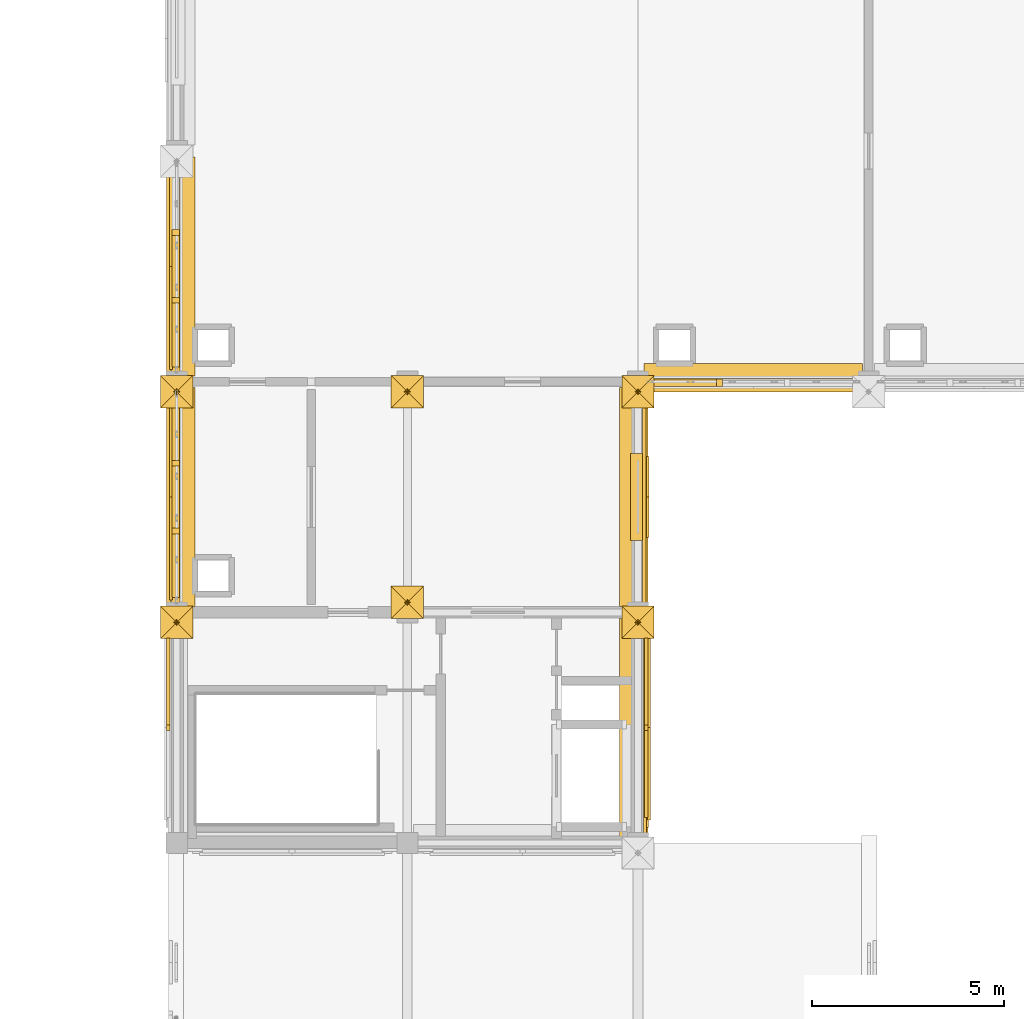
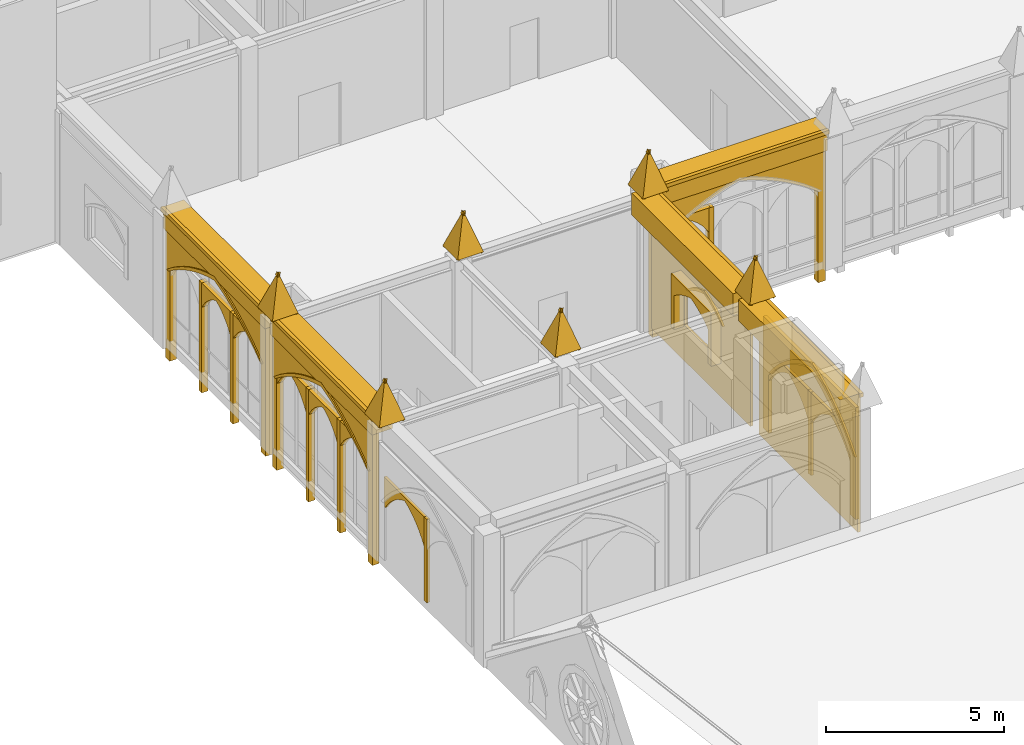
# One storey, part 98 of 108: 61 coverings.
"""IFC4 building model written with IfcOpenShell, lengths in metres."""

from ifc_helpers import new_model, si_unit, direction, frame, origin, origin_2d, place, context, subcontext, project, spatial, polyline, rectangle, outline, extrude, material, type_object, element, save


model = new_model("IFC4")

# Units and contexts
model_context = context("Model", 3, precision=1e-05, world=origin(), true_north=direction((0.0, 1.0)))
body_context = subcontext(model_context, "Body", "Model", "MODEL_VIEW")
ifc_project = project(units=[si_unit("LENGTHUNIT", "METRE"), si_unit("AREAUNIT", "SQUARE_METRE"), si_unit("VOLUMEUNIT", "CUBIC_METRE"), si_unit("PLANEANGLEUNIT", "RADIAN"), si_unit("MASSUNIT", "GRAM", prefix="KILO")], contexts=[model_context])

# Site, building, storey
site_placement = place(None, origin())
site = spatial("IfcSite", under=ifc_project, at=site_placement, CompositionType="ELEMENT")
building_placement = place(site_placement, origin())
building = spatial("IfcBuilding", under=site, at=building_placement, Name="Cumevento Cable Car Station", CompositionType="ELEMENT")
storey_placement = place(building_placement, frame((0.0, 0.0, 13.5)))
storey = spatial("IfcBuildingStorey", under=building, at=storey_placement, Name="L04", CompositionType="ELEMENT", Elevation=13.5)

# Coverings
ifc_material = material(Name="Gnaisse Facoidal Stone Ashlar 85 MPa", Category="masonry")
covering_type = type_object("IfcCoveringType", Name="Gnaisse Ashlar Cladding CV-CL01", PredefinedType="CLADDING", material=ifc_material)
for number, where, z_axis, x_axis, name in (
    (1, (117.580078125, 27.159912109375, 4.8701171875), (0.0, 0.951573760476, 0.30742052367), (1.0, 0.0, 0.0), "Gothic Buttress Pinnacle Spire Facet 1 bt:118.0:27.0"),
    (2, (118.419921875, 27.159912109375, 4.8701171875), (0.951573760476, 0.0, 0.30742052367), (0.0, -1.0, 0.0), "Gothic Buttress Pinnacle Spire Facet 2 bt:118.0:27.0"),
    (3, (118.419921875, 26.320068359375, 4.8701171875), (0.0, -0.951573760476, 0.30742052367), (-1.0, 0.0, 0.0), "Gothic Buttress Pinnacle Spire Facet 3 bt:118.0:27.0"),
    (4, (117.580078125, 26.320068359375, 4.8701171875), (-0.951573760476, 0.0, 0.30742052367), (0.0, 1.0, 0.0), "Gothic Buttress Pinnacle Spire Facet 4 bt:118.0:27.0"),
    (5, (117.580078125, 33.159912109375, 4.8701171875), (0.0, 0.951573760476, 0.30742052367), (1.0, 0.0, 0.0), "Gothic Buttress Pinnacle Spire Facet 1 bt:118.0:33.0"),
    (6, (118.419921875, 33.159912109375, 4.8701171875), (0.951573760476, 0.0, 0.30742052367), (0.0, -1.0, 0.0), "Gothic Buttress Pinnacle Spire Facet 2 bt:118.0:33.0"),
    (7, (118.419921875, 32.320068359375, 4.8701171875), (0.0, -0.951573760476, 0.30742052367), (-1.0, 0.0, 0.0), "Gothic Buttress Pinnacle Spire Facet 3 bt:118.0:33.0"),
    (8, (117.580078125, 32.320068359375, 4.8701171875), (-0.951573760476, 0.0, 0.30742052367), (0.0, 1.0, 0.0), "Gothic Buttress Pinnacle Spire Facet 4 bt:118.0:33.0"),
    (9, (124.419921875, 26.840087890625, 4.8701171875), (0.0, -0.951573760476, 0.30742052367), (-1.0, 0.0, 0.0), "Gothic Buttress Pinnacle Spire Facet 1 bt:124.0:27.0"),
    (10, (123.580078125, 26.840087890625, 4.8701171875), (-0.951573760476, 0.0, 0.30742052367), (0.0, 1.0, 0.0), "Gothic Buttress Pinnacle Spire Facet 2 bt:124.0:27.0"),
    (11, (123.580078125, 27.679931640625, 4.8701171875), (0.0, 0.951573760476, 0.30742052367), (1.0, 0.0, 0.0), "Gothic Buttress Pinnacle Spire Facet 3 bt:124.0:27.0"),
    (12, (124.419921875, 27.679931640625, 4.8701171875), (0.951573760476, 0.0, 0.30742052367), (0.0, -1.0, 0.0), "Gothic Buttress Pinnacle Spire Facet 4 bt:124.0:27.0"),
    (13, (123.580078125, 33.159912109375, 4.8701171875), (0.0, 0.951573760476, 0.30742052367), (1.0, 0.0, 0.0), "Gothic Buttress Pinnacle Spire Facet 1 bt:124.0:33.0"),
    (14, (124.419921875, 33.159912109375, 4.8701171875), (0.951573760476, 0.0, 0.30742052367), (0.0, -1.0, 0.0), "Gothic Buttress Pinnacle Spire Facet 2 bt:124.0:33.0"),
    (15, (124.419921875, 32.320068359375, 4.8701171875), (0.0, -0.951573760476, 0.30742052367), (-1.0, 0.0, 0.0), "Gothic Buttress Pinnacle Spire Facet 3 bt:124.0:33.0"),
    (16, (123.580078125, 32.320068359375, 4.8701171875), (-0.951573760476, 0.0, 0.30742052367), (0.0, 1.0, 0.0), "Gothic Buttress Pinnacle Spire Facet 4 bt:124.0:33.0"),
    (17, (129.580078125, 27.159912109375, 4.8701171875), (0.0, 0.951573760476, 0.30742052367), (1.0, 0.0, 0.0), "Gothic Buttress Pinnacle Spire Facet 1 bt:130.0:27.0"),
    (18, (130.419921875, 27.159912109375, 4.8701171875), (0.951573760476, 0.0, 0.30742052367), (0.0, -1.0, 0.0), "Gothic Buttress Pinnacle Spire Facet 2 bt:130.0:27.0"),
    (19, (130.419921875, 26.320068359375, 4.8701171875), (0.0, -0.951573760476, 0.30742052367), (-1.0, 0.0, 0.0), "Gothic Buttress Pinnacle Spire Facet 3 bt:130.0:27.0"),
    (20, (129.580078125, 26.320068359375, 4.8701171875), (-0.951573760476, 0.0, 0.30742052367), (0.0, 1.0, 0.0), "Gothic Buttress Pinnacle Spire Facet 4 bt:130.0:27.0"),
    (21, (129.580078125, 33.159912109375, 4.8701171875), (0.0, 0.951573760476, 0.30742052367), (1.0, 0.0, 0.0), "Gothic Buttress Pinnacle Spire Facet 1 bt:130.0:33.0"),
    (22, (130.419921875, 33.159912109375, 4.8701171875), (0.951573760476, 0.0, 0.30742052367), (0.0, -1.0, 0.0), "Gothic Buttress Pinnacle Spire Facet 2 bt:130.0:33.0"),
    (23, (130.419921875, 32.320068359375, 4.8701171875), (0.0, -0.951573760476, 0.30742052367), (-1.0, 0.0, 0.0), "Gothic Buttress Pinnacle Spire Facet 3 bt:130.0:33.0"),
    (24, (129.580078125, 32.320068359375, 4.8701171875), (-0.951573760476, 0.0, 0.30742052367), (0.0, 1.0, 0.0), "Gothic Buttress Pinnacle Spire Facet 4 bt:130.0:33.0"),
):
    element("IfcCovering", number, at=place(storey_placement, frame(where, z_axis=z_axis, x_axis=x_axis)), inside=storey, type_object=covering_type, Name=name, PredefinedType="CLADDING", context=body_context, shape_type="SweptSolid", body=[
        extrude(outline(polyline([(0.0, 0.0), (0.83984375, 0.0), (0.419921875, -1.3659526370817139), (0.0, 0.0)])), origin(), (0.0, 0.0, -1.0), 0.0849609375),
    ])
covering_1_placement = place(storey_placement, frame((129.85009765625, 24.0, 4.032958984375), z_axis=(0.0, 0.0, 1.0), x_axis=(0.0, -1.0, 0.0)))
element("IfcCovering", 25, at=covering_1_placement, inside=storey, type_object=covering_type, Name="Gothic Stone Spandrel Stringcourse sc:0754", PredefinedType="CLADDING", context=body_context, shape_type="SweptSolid", body=[
    extrude(rectangle(XDim=5.68994140625, YDim=0.659912109375, at=origin_2d()), origin(), (0.0, 0.0, 1.0), 0.7470703125),
])
covering_2_placement = place(storey_placement, frame((130.20751953125, 24.0, 4.650146484375), z_axis=(0.0, 0.0, 1.0), x_axis=(0.0, -1.0, 0.0)))
element("IfcCovering", 26, at=covering_2_placement, inside=storey, type_object=covering_type, Name="Gothic Cornice Dripstone Lip sc:0754", PredefinedType="CLADDING", context=body_context, shape_type="SweptSolid", body=[
    extrude(rectangle(XDim=5.72998046875, YDim=0.114990234375, at=origin_2d()), origin(), (0.0, 0.0, 1.0), 0.1298828125),
])
covering_3_placement = place(storey_placement, frame((118.14990234375, 30.0, 4.032958984375), z_axis=(0.0, 0.0, 1.0), x_axis=(0.0, 1.0, 0.0)))
element("IfcCovering", 27, at=covering_3_placement, inside=storey, type_object=covering_type, Name="Gothic Stone Spandrel Stringcourse sc:0755", PredefinedType="CLADDING", context=body_context, shape_type="SweptSolid", body=[
    extrude(rectangle(XDim=5.68994140625, YDim=0.659912109375, at=origin_2d()), origin(), (0.0, 0.0, 1.0), 0.7470703125),
])
covering_4_placement = place(storey_placement, frame((117.79248046875, 30.0, 4.650146484375), z_axis=(0.0, 0.0, 1.0), x_axis=(0.0, 1.0, 0.0)))
element("IfcCovering", 28, at=covering_4_placement, inside=storey, type_object=covering_type, Name="Gothic Cornice Dripstone Lip sc:0755", PredefinedType="CLADDING", context=body_context, shape_type="SweptSolid", body=[
    extrude(rectangle(XDim=5.72998046875, YDim=0.114990234375, at=origin_2d()), origin(), (0.0, 0.0, 1.0), 0.1298828125),
])
covering_5_placement = place(storey_placement, frame((129.85009765625, 30.0, 4.032958984375), z_axis=(0.0, 0.0, 1.0), x_axis=(0.0, -1.0, 0.0)))
element("IfcCovering", 29, at=covering_5_placement, inside=storey, type_object=covering_type, Name="Gothic Stone Spandrel Stringcourse sc:0756", PredefinedType="CLADDING", context=body_context, shape_type="SweptSolid", body=[
    extrude(rectangle(XDim=5.68994140625, YDim=0.659912109375, at=origin_2d()), origin(), (0.0, 0.0, 1.0), 0.7470703125),
])
covering_6_placement = place(storey_placement, frame((130.20751953125, 30.0, 4.650146484375), z_axis=(0.0, 0.0, 1.0), x_axis=(0.0, -1.0, 0.0)))
element("IfcCovering", 30, at=covering_6_placement, inside=storey, type_object=covering_type, Name="Gothic Cornice Dripstone Lip sc:0756", PredefinedType="CLADDING", context=body_context, shape_type="SweptSolid", body=[
    extrude(rectangle(XDim=5.72998046875, YDim=0.114990234375, at=origin_2d()), origin(), (0.0, 0.0, 1.0), 0.1298828125),
])
covering_7_placement = place(storey_placement, frame((133.0, 33.14990234375, 4.032958984375), z_axis=(0.0, 0.0, 1.0), x_axis=(-1.0, 0.0, 0.0)))
element("IfcCovering", 31, at=covering_7_placement, inside=storey, type_object=covering_type, Name="Gothic Stone Spandrel Stringcourse sc:0757", PredefinedType="CLADDING", context=body_context, shape_type="SweptSolid", body=[
    extrude(rectangle(XDim=5.68994140625, YDim=0.659912109375, at=origin_2d()), origin(), (0.0, 0.0, 1.0), 0.7470703125),
])
covering_8_placement = place(storey_placement, frame((133.0, 32.79248046875, 4.650146484375), z_axis=(0.0, 0.0, 1.0), x_axis=(-1.0, 0.0, 0.0)))
element("IfcCovering", 32, at=covering_8_placement, inside=storey, type_object=covering_type, Name="Gothic Cornice Dripstone Lip sc:0757", PredefinedType="CLADDING", context=body_context, shape_type="SweptSolid", body=[
    extrude(rectangle(XDim=5.72998046875, YDim=0.114990234375, at=origin_2d()), origin(), (0.0, 0.0, 1.0), 0.1298828125),
])
covering_9_placement = place(storey_placement, frame((118.14990234375, 36.0, 4.032958984375), z_axis=(0.0, 0.0, 1.0), x_axis=(0.0, 1.0, 0.0)))
element("IfcCovering", 33, at=covering_9_placement, inside=storey, type_object=covering_type, Name="Gothic Stone Spandrel Stringcourse sc:0758", PredefinedType="CLADDING", context=body_context, shape_type="SweptSolid", body=[
    extrude(rectangle(XDim=5.68994140625, YDim=0.659912109375, at=origin_2d()), origin(), (0.0, 0.0, 1.0), 0.7470703125),
])
covering_10_placement = place(storey_placement, frame((117.79248046875, 36.0, 4.650146484375), z_axis=(0.0, 0.0, 1.0), x_axis=(0.0, 1.0, 0.0)))
element("IfcCovering", 34, at=covering_10_placement, inside=storey, type_object=covering_type, Name="Gothic Cornice Dripstone Lip sc:0758", PredefinedType="CLADDING", context=body_context, shape_type="SweptSolid", body=[
    extrude(rectangle(XDim=5.72998046875, YDim=0.114990234375, at=origin_2d()), origin(), (0.0, 0.0, 1.0), 0.1298828125),
])
placement_1 = place(storey_placement, frame((118.0, 27.27490234375, -0.469970703125), z_axis=(0.0, 0.0, 1.0), x_axis=(0.0, 1.0, 0.0)))
element("IfcCovering", 35, at=placement_1, inside=storey, type_object=covering_type, Name="Gothic Ogival Pointed-Arch Stone Spandrel cw_ogival:0177", PredefinedType="CLADDING", context=body_context, shape_type="SweptSolid", body=[
    extrude(outline(polyline([(-0.080078125, 0.0), (-0.080078125, 4.64306640625), (5.530029296875, 4.64306640625), (5.530029296875, 0.0), (5.2900390625, 0.0), (5.2900390625, 3.1650390625), (5.002197265625, 3.383056640625), (4.703369140625, 3.585205078125), (4.394287109375, 3.771484375), (4.07568359375, 3.94091796875), (3.74853515625, 4.093017578125), (3.41357421875, 4.227783203125), (3.072265625, 4.344482421875), (2.72509765625, 4.44287109375), (2.377685546875, 4.344482421875), (2.036376953125, 4.227783203125), (1.701416015625, 4.093017578125), (1.374267578125, 3.94091796875), (1.0556640625, 3.771484375), (0.74658203125, 3.585205078125), (0.44775390625, 3.383056640625), (0.159912109375, 3.1650390625), (0.159912109375, 0.0), (-0.080078125, 0.0)])), frame((0.0, 0.139892578125, 0.0), z_axis=(0.0, -1.0, 0.0), x_axis=(1.0, 0.0, 0.0)), (0.0, 0.0, 1.0), 0.219970703125),
])
covering_12_placement = place(storey_placement, frame((118.0, 27.27490234375, 2.695068359375), z_axis=(0.0, 0.0, 1.0), x_axis=(0.0, 1.0, 0.0)))
element("IfcCovering", 36, at=covering_12_placement, inside=storey, type_object=covering_type, Name="Gothic Pointed Archivolt Hood Moulding cw_ogival:0177", PredefinedType="CLADDING", context=body_context, shape_type="SweptSolid", body=[
    extrude(outline(polyline([(0.159912109375, 0.0), (0.44775390625, 0.218017578125), (0.74658203125, 0.420166015625), (1.0556640625, 0.6064453125), (1.374267578125, 0.77587890625), (1.701416015625, 0.927978515625), (2.036376953125, 1.062744140625), (2.377685546875, 1.179443359375), (2.72509765625, 1.27783203125), (3.072265625, 1.179443359375), (3.41357421875, 1.062744140625), (3.74853515625, 0.927978515625), (4.07568359375, 0.77587890625), (4.394287109375, 0.6064453125), (4.703369140625, 0.420166015625), (5.002197265625, 0.218017578125), (5.2900390625, 0.0), (5.39990234375, 0.0), (5.10400390625, 0.240478515625), (4.794921875, 0.46435546875), (4.47412109375, 0.67041015625), (4.14208984375, 0.858154296875), (3.800048828125, 1.02685546875), (3.448974609375, 1.176513671875), (3.09033203125, 1.30615234375), (2.72509765625, 1.415283203125), (2.359619140625, 1.30615234375), (2.0009765625, 1.176513671875), (1.64990234375, 1.02685546875), (1.307861328125, 0.858154296875), (0.975830078125, 0.67041015625), (0.655029296875, 0.46435546875), (0.345947265625, 0.240478515625), (0.050048828125, 0.0), (0.159912109375, 0.0)])), frame((0.0, 0.181884765625, 0.0), z_axis=(0.0, -1.0, 0.0), x_axis=(1.0, 0.0, 0.0)), (0.0, 0.0, 1.0), 0.06689453125),
])
element("IfcCovering", 37, at=placement_1, inside=storey, type_object=covering_type, Name="Gothic Bifora Stone Colonnette cw_ogival:0177 #1", PredefinedType="CLADDING", context=body_context, shape_type="SweptSolid", body=[
    extrude(outline(polyline([(1.77001953125, -0.02001953125), (1.919921875, -0.02001953125), (1.919921875, 3.82958984375), (1.77001953125, 3.82958984375), (1.77001953125, -0.02001953125)])), frame((0.0, 0.1279296875, 0.0), z_axis=(0.0, -1.0, 0.0), x_axis=(1.0, 0.0, 0.0)), (0.0, 0.0, 1.0), 0.205078125),
])
element("IfcCovering", 38, at=placement_1, inside=storey, type_object=covering_type, Name="Gothic Bifora Stone Colonnette cw_ogival:0177 #2", PredefinedType="CLADDING", context=body_context, shape_type="SweptSolid", body=[
    extrude(outline(polyline([(3.530029296875, -0.02001953125), (3.679931640625, -0.02001953125), (3.679931640625, 3.82958984375), (3.530029296875, 3.82958984375), (3.530029296875, -0.02001953125)])), frame((0.0, 0.1279296875, 0.0), z_axis=(0.0, -1.0, 0.0), x_axis=(1.0, 0.0, 0.0)), (0.0, 0.0, 1.0), 0.205078125),
])
for number, where, z_axis, x_axis, name in (
    (39, (118.0, 27.405029296875, 2.51513671875), (0.0, 0.0, 1.0), (0.0, 1.0, 0.0), "Gothic Ogival Pointed-Arch Stone Spandrel cw_ogival:0177:sub:0"),
    (40, (118.0, 29.1650390625, 2.51513671875), (0.0, 0.0, 1.0), (0.0, 1.0, 0.0), "Gothic Ogival Pointed-Arch Stone Spandrel cw_ogival:0177:sub:1"),
    (41, (118.0, 30.925048828125, 2.51513671875), (0.0, 0.0, 1.0), (0.0, 1.0, 0.0), "Gothic Ogival Pointed-Arch Stone Spandrel cw_ogival:0177:sub:2"),
):
    element("IfcCovering", number, at=place(storey_placement, frame(where, z_axis=z_axis, x_axis=x_axis)), inside=storey, type_object=covering_type, Name=name, PredefinedType="CLADDING", context=body_context, shape_type="SweptSolid", body=[
        extrude(outline(polyline([(-0.02001953125, 0.0), (-0.02001953125, 0.844482421875), (1.68994140625, 0.844482421875), (1.68994140625, 0.0), (1.6298828125, 0.0), (1.53466796875, 0.15576171875), (1.42236328125, 0.300048828125), (1.294677734375, 0.430419921875), (1.15283203125, 0.545654296875), (0.9990234375, 0.64404296875), (0.8349609375, 0.724609375), (0.6708984375, 0.64404296875), (0.51708984375, 0.545654296875), (0.375244140625, 0.430419921875), (0.24755859375, 0.300048828125), (0.13525390625, 0.15576171875), (0.0400390625, 0.0), (-0.02001953125, 0.0)])), frame((0.0, 0.1240234375, 0.0), z_axis=(0.0, -1.0, 0.0), x_axis=(1.0, 0.0, 0.0)), (0.0, 0.0, 1.0), 0.199951171875),
    ])
placement_2 = place(storey_placement, frame((135.72509765625, 33.0, -0.419921875), z_axis=(0.0, 0.0, 1.0), x_axis=(-1.0, 0.0, 0.0)))
element("IfcCovering", 42, at=placement_2, inside=storey, type_object=covering_type, Name="Gothic Ogival Pointed-Arch Stone Spandrel cw_ogival:0178", PredefinedType="CLADDING", context=body_context, shape_type="SweptSolid", body=[
    extrude(outline(polyline([(-0.080078125, 0.0), (-0.080078125, 4.593017578125), (5.530029296875, 4.593017578125), (5.530029296875, 0.0), (5.2900390625, 0.0), (5.2900390625, 3.133056640625), (5.00146484375, 3.34814453125), (4.701904296875, 3.547607421875), (4.392578125, 3.731201171875), (4.07373046875, 3.898193359375), (3.746826171875, 4.04833984375), (3.412353515625, 4.180908203125), (3.071533203125, 4.2958984375), (2.72509765625, 4.39306640625), (2.37841796875, 4.2958984375), (2.03759765625, 4.180908203125), (1.703125, 4.04833984375), (1.376220703125, 3.898193359375), (1.057373046875, 3.731201171875), (0.748046875, 3.547607421875), (0.448486328125, 3.34814453125), (0.159912109375, 3.133056640625), (0.159912109375, 0.0), (-0.080078125, 0.0)])), frame((0.0, 0.139892578125, 0.0), z_axis=(0.0, -1.0, 0.0), x_axis=(1.0, 0.0, 0.0)), (0.0, 0.0, 1.0), 0.219970703125),
])
element("IfcCovering", 43, at=placement_2, inside=storey, type_object=covering_type, Name="Gothic Bifora Stone Colonnette cw_ogival:0178 #2", PredefinedType="CLADDING", context=body_context, shape_type="SweptSolid", body=[
    extrude(outline(polyline([(3.530029296875, -0.02001953125), (3.679931640625, -0.02001953125), (3.679931640625, 3.7880859375), (3.530029296875, 3.7880859375), (3.530029296875, -0.02001953125)])), frame((0.0, 0.1279296875, 0.0), z_axis=(0.0, -1.0, 0.0), x_axis=(1.0, 0.0, 0.0)), (0.0, 0.0, 1.0), 0.205078125),
])
covering_17_placement = place(storey_placement, frame((132.074951171875, 33.0, 2.533203125), z_axis=(0.0, 0.0, 1.0), x_axis=(-1.0, 0.0, 0.0)))
element("IfcCovering", 44, at=covering_17_placement, inside=storey, type_object=covering_type, Name="Gothic Ogival Pointed-Arch Stone Spandrel cw_ogival:0178:sub:2", PredefinedType="CLADDING", context=body_context, shape_type="SweptSolid", body=[
    extrude(outline(polyline([(-0.02001953125, 0.0), (-0.02001953125, 0.835205078125), (1.68994140625, 0.835205078125), (1.68994140625, 0.0), (1.6298828125, 0.0), (1.533935546875, 0.154052734375), (1.421142578125, 0.29638671875), (1.293212890625, 0.425048828125), (1.151611328125, 0.538818359375), (0.998291015625, 0.6357421875), (0.8349609375, 0.715087890625), (0.671630859375, 0.6357421875), (0.518310546875, 0.538818359375), (0.376708984375, 0.425048828125), (0.248779296875, 0.29638671875), (0.135986328125, 0.154052734375), (0.0400390625, 0.0), (-0.02001953125, 0.0)])), frame((0.0, 0.1240234375, 0.0), z_axis=(0.0, -1.0, 0.0), x_axis=(1.0, 0.0, 0.0)), (0.0, 0.0, 1.0), 0.199951171875),
])
placement_3 = place(storey_placement, frame((118.0, 33.27490234375, -0.3701171875), z_axis=(0.0, 0.0, 1.0), x_axis=(0.0, 1.0, 0.0)))
element("IfcCovering", 45, at=placement_3, inside=storey, type_object=covering_type, Name="Gothic Ogival Pointed-Arch Stone Spandrel cw_ogival:0179", PredefinedType="CLADDING", context=body_context, shape_type="SweptSolid", body=[
    extrude(outline(polyline([(-0.080078125, 0.0), (-0.080078125, 4.54296875), (5.530029296875, 4.54296875), (5.530029296875, 0.0), (5.2900390625, 0.0), (5.2900390625, 3.10107421875), (5.00048828125, 3.313232421875), (4.70068359375, 3.510009765625), (4.390869140625, 3.69091796875), (4.072021484375, 3.85546875), (3.7451171875, 4.00341796875), (3.4111328125, 4.13427734375), (3.07080078125, 4.24755859375), (2.72509765625, 4.343017578125), (2.379150390625, 4.24755859375), (2.038818359375, 4.13427734375), (1.704833984375, 4.00341796875), (1.3779296875, 3.85546875), (1.05908203125, 3.69091796875), (0.749267578125, 3.510009765625), (0.449462890625, 3.313232421875), (0.159912109375, 3.10107421875), (0.159912109375, 0.0), (-0.080078125, 0.0)])), frame((0.0, 0.139892578125, 0.0), z_axis=(0.0, -1.0, 0.0), x_axis=(1.0, 0.0, 0.0)), (0.0, 0.0, 1.0), 0.219970703125),
])
covering_19_placement = place(storey_placement, frame((118.0, 33.27490234375, 2.731201171875), z_axis=(0.0, 0.0, 1.0), x_axis=(0.0, 1.0, 0.0)))
element("IfcCovering", 46, at=covering_19_placement, inside=storey, type_object=covering_type, Name="Gothic Pointed Archivolt Hood Moulding cw_ogival:0179", PredefinedType="CLADDING", context=body_context, shape_type="SweptSolid", body=[
    extrude(outline(polyline([(0.159912109375, 0.0), (0.449462890625, 0.212158203125), (0.749267578125, 0.408935546875), (1.05908203125, 0.58984375), (1.3779296875, 0.75439453125), (1.704833984375, 0.90234375), (2.038818359375, 1.033203125), (2.379150390625, 1.146484375), (2.72509765625, 1.241943359375), (3.07080078125, 1.146484375), (3.4111328125, 1.033203125), (3.7451171875, 0.90234375), (4.072021484375, 0.75439453125), (4.390869140625, 0.58984375), (4.70068359375, 0.408935546875), (5.00048828125, 0.212158203125), (5.2900390625, 0.0), (5.39990234375, 0.0), (5.102294921875, 0.23486328125), (4.7919921875, 0.452880859375), (4.470458984375, 0.65380859375), (4.13818359375, 0.836669921875), (3.796630859375, 1.001220703125), (3.446533203125, 1.146728515625), (3.0888671875, 1.27294921875), (2.72509765625, 1.37939453125), (2.361083984375, 1.27294921875), (2.00341796875, 1.146728515625), (1.6533203125, 1.001220703125), (1.311767578125, 0.836669921875), (0.9794921875, 0.65380859375), (0.657958984375, 0.452880859375), (0.34765625, 0.23486328125), (0.050048828125, 0.0), (0.159912109375, 0.0)])), frame((0.0, 0.181884765625, 0.0), z_axis=(0.0, -1.0, 0.0), x_axis=(1.0, 0.0, 0.0)), (0.0, 0.0, 1.0), 0.06689453125),
])
element("IfcCovering", 47, at=placement_3, inside=storey, type_object=covering_type, Name="Gothic Bifora Stone Colonnette cw_ogival:0179 #1", PredefinedType="CLADDING", context=body_context, shape_type="SweptSolid", body=[
    extrude(outline(polyline([(1.77001953125, -0.02001953125), (1.919921875, -0.02001953125), (1.919921875, 3.746826171875), (1.77001953125, 3.746826171875), (1.77001953125, -0.02001953125)])), frame((0.0, 0.1279296875, 0.0), z_axis=(0.0, -1.0, 0.0), x_axis=(1.0, 0.0, 0.0)), (0.0, 0.0, 1.0), 0.205078125),
])
element("IfcCovering", 48, at=placement_3, inside=storey, type_object=covering_type, Name="Gothic Bifora Stone Colonnette cw_ogival:0179 #2", PredefinedType="CLADDING", context=body_context, shape_type="SweptSolid", body=[
    extrude(outline(polyline([(3.530029296875, -0.02001953125), (3.679931640625, -0.02001953125), (3.679931640625, 3.746826171875), (3.530029296875, 3.746826171875), (3.530029296875, -0.02001953125)])), frame((0.0, 0.1279296875, 0.0), z_axis=(0.0, -1.0, 0.0), x_axis=(1.0, 0.0, 0.0)), (0.0, 0.0, 1.0), 0.205078125),
])
for number, where, z_axis, x_axis, name in (
    (49, (118.0, 33.405029296875, 2.551025390625), (0.0, 0.0, 1.0), (0.0, 1.0, 0.0), "Gothic Ogival Pointed-Arch Stone Spandrel cw_ogival:0179:sub:0"),
    (50, (118.0, 35.1650390625, 2.551025390625), (0.0, 0.0, 1.0), (0.0, 1.0, 0.0), "Gothic Ogival Pointed-Arch Stone Spandrel cw_ogival:0179:sub:1"),
):
    element("IfcCovering", number, at=place(storey_placement, frame(where, z_axis=z_axis, x_axis=x_axis)), inside=storey, type_object=covering_type, Name=name, PredefinedType="CLADDING", context=body_context, shape_type="SweptSolid", body=[
        extrude(outline(polyline([(-0.02001953125, 0.0), (-0.02001953125, 0.82568359375), (1.68994140625, 0.82568359375), (1.68994140625, 0.0), (1.6298828125, 0.0), (1.533203125, 0.15234375), (1.419921875, 0.292724609375), (1.2919921875, 0.419921875), (1.150634765625, 0.531982421875), (0.99755859375, 0.627685546875), (0.8349609375, 0.705810546875), (0.67236328125, 0.627685546875), (0.519287109375, 0.531982421875), (0.3779296875, 0.419921875), (0.25, 0.292724609375), (0.13671875, 0.15234375), (0.0400390625, 0.0), (-0.02001953125, 0.0)])), frame((0.0, 0.1240234375, 0.0), z_axis=(0.0, -1.0, 0.0), x_axis=(1.0, 0.0, 0.0)), (0.0, 0.0, 1.0), 0.199951171875),
    ])
covering_22_placement = place(storey_placement, frame((118.0, 21.455078125, 0.300048828125), z_axis=(0.0, 0.0, 1.0), x_axis=(0.0, 1.0, 0.0)))
element("IfcCovering", 51, at=covering_22_placement, inside=storey, type_object=covering_type, Name="Gothic Bifora Stone Colonnette blind_ogival:0285 #1", PredefinedType="CLADDING", context=body_context, shape_type="SweptSolid", body=[
    extrude(outline(polyline([(2.469970703125, -0.02001953125), (2.6201171875, -0.02001953125), (2.6201171875, 2.8349609375), (2.469970703125, 2.8349609375), (2.469970703125, -0.02001953125)])), frame((0.0, 0.265380859375, 0.0), z_axis=(0.0, -1.0, 0.0), x_axis=(1.0, 0.0, 0.0)), (0.0, 0.0, 1.0), 0.094970703125),
])
covering_23_placement = place(storey_placement, frame((118.0, 24.044921875, 2.112060546875), z_axis=(0.0, 0.0, 1.0), x_axis=(0.0, 1.0, 0.0)))
element("IfcCovering", 52, at=covering_23_placement, inside=storey, type_object=covering_type, Name="Gothic Ogival Pointed-Arch Stone Spandrel blind_ogival:0285:sub:1", PredefinedType="CLADDING", context=body_context, shape_type="SweptSolid", body=[
    extrude(outline(polyline([(-0.02001953125, 0.0), (-0.02001953125, 1.02294921875), (2.2900390625, 1.02294921875), (2.2900390625, 0.0), (2.22998046875, 0.0), (2.0908203125, 0.196044921875), (1.931884765625, 0.37646484375), (1.754638671875, 0.5390625), (1.561279296875, 0.681884765625), (1.35400390625, 0.8037109375), (1.135009765625, 0.90283203125), (0.916015625, 0.8037109375), (0.708740234375, 0.681884765625), (0.515380859375, 0.5390625), (0.338134765625, 0.37646484375), (0.17919921875, 0.196044921875), (0.0400390625, 0.0), (-0.02001953125, 0.0)])), frame((0.0, 0.261474609375, 0.0), z_axis=(0.0, -1.0, 0.0), x_axis=(1.0, 0.0, 0.0)), (0.0, 0.0, 1.0), 0.090087890625),
])
covering_24_placement = place(storey_placement, frame((130.0, 26.72509765625, 0.0), z_axis=(0.0, 0.0, 1.0), x_axis=(0.0, -1.0, 0.0)))
element("IfcCovering", 53, at=covering_24_placement, inside=storey, type_object=covering_type, Name="Exterior Gnaisse Stone Wall Ashlar #286", PredefinedType="CLADDING", context=body_context, shape_type="SweptSolid", body=[
    extrude(outline(polyline([(-0.0400390625, -0.02001953125), (5.489990234375, -0.02001953125), (5.489990234375, 4.113037109375), (-0.0400390625, 4.113037109375), (-0.0400390625, -0.02001953125)])), frame((0.0, 0.222412109375, 0.0), z_axis=(0.0, -1.0, 0.0), x_axis=(1.0, 0.0, 0.0)), (0.0, 0.0, 1.0), 0.0849609375),
])
placement_4 = place(storey_placement, frame((130.0, 26.544921875, 0.300048828125), z_axis=(0.0, 0.0, 1.0), x_axis=(0.0, -1.0, 0.0)))
element("IfcCovering", 54, at=placement_4, inside=storey, type_object=covering_type, Name="Gothic Ogival Pointed-Arch Stone Spandrel blind_ogival:0286", PredefinedType="CLADDING", context=body_context, shape_type="SweptSolid", body=[
    extrude(outline(polyline([(-0.050048828125, 0.0), (-0.050048828125, 3.8330078125), (5.139892578125, 3.8330078125), (5.139892578125, 0.0), (4.830078125, 0.0), (4.830078125, 1.9921875), (4.565673828125, 2.299560546875), (4.277099609375, 2.58447265625), (3.96630859375, 2.84521484375), (3.635498046875, 3.07958984375), (3.286865234375, 3.286865234375), (2.922607421875, 3.465087890625), (2.544921875, 3.61279296875), (2.16748046875, 3.465087890625), (1.80322265625, 3.286865234375), (1.45458984375, 3.07958984375), (1.123779296875, 2.84521484375), (0.81298828125, 2.58447265625), (0.5244140625, 2.299560546875), (0.260009765625, 1.9921875), (0.260009765625, 0.0), (-0.050048828125, 0.0)])), frame((0.0, 0.277587890625, 0.0), z_axis=(0.0, -1.0, 0.0), x_axis=(1.0, 0.0, 0.0)), (0.0, 0.0, 1.0), 0.110107421875),
])
covering_26_placement = place(storey_placement, frame((130.0, 26.544921875, 2.2919921875), z_axis=(0.0, 0.0, 1.0), x_axis=(0.0, -1.0, 0.0)))
element("IfcCovering", 55, at=covering_26_placement, inside=storey, type_object=covering_type, Name="Gothic Pointed Archivolt Hood Moulding blind_ogival:0286", PredefinedType="CLADDING", context=body_context, shape_type="SweptSolid", body=[
    extrude(outline(polyline([(0.260009765625, 0.0), (0.5244140625, 0.307373046875), (0.81298828125, 0.59228515625), (1.123779296875, 0.85302734375), (1.45458984375, 1.087646484375), (1.80322265625, 1.294677734375), (2.16748046875, 1.472900390625), (2.544921875, 1.620849609375), (2.922607421875, 1.472900390625), (3.286865234375, 1.294677734375), (3.635498046875, 1.087646484375), (3.96630859375, 0.85302734375), (4.277099609375, 0.59228515625), (4.565673828125, 0.307373046875), (4.830078125, 0.0), (4.950927734375, 0.0), (4.677001953125, 0.3349609375), (4.3759765625, 0.64599609375), (4.050048828125, 0.930908203125), (3.701416015625, 1.187744140625), (3.332763671875, 1.41455078125), (2.9462890625, 1.60986328125), (2.544921875, 1.772216796875), (2.143798828125, 1.60986328125), (1.75732421875, 1.41455078125), (1.388671875, 1.187744140625), (1.0400390625, 0.930908203125), (0.714111328125, 0.64599609375), (0.4130859375, 0.3349609375), (0.138916015625, 0.0), (0.260009765625, 0.0)])), frame((0.0, 0.319580078125, 0.0), z_axis=(0.0, -1.0, 0.0), x_axis=(1.0, 0.0, 0.0)), (0.0, 0.0, 1.0), 0.06689453125),
])
element("IfcCovering", 56, at=placement_4, inside=storey, type_object=covering_type, Name="Gothic Bifora Stone Colonnette blind_ogival:0286 #1", PredefinedType="CLADDING", context=body_context, shape_type="SweptSolid", body=[
    extrude(outline(polyline([(2.469970703125, -0.02001953125), (2.6201171875, -0.02001953125), (2.6201171875, 2.8349609375), (2.469970703125, 2.8349609375), (2.469970703125, -0.02001953125)])), frame((0.0, 0.265380859375, 0.0), z_axis=(0.0, -1.0, 0.0), x_axis=(1.0, 0.0, 0.0)), (0.0, 0.0, 1.0), 0.094970703125),
])
for number, where, z_axis, x_axis, name in (
    (57, (130.0, 26.31494140625, 2.112060546875), (0.0, 0.0, 1.0), (0.0, -1.0, 0.0), "Gothic Ogival Pointed-Arch Stone Spandrel blind_ogival:0286:sub:0"),
    (58, (130.0, 23.955078125, 2.112060546875), (0.0, 0.0, 1.0), (0.0, -1.0, 0.0), "Gothic Ogival Pointed-Arch Stone Spandrel blind_ogival:0286:sub:1"),
):
    element("IfcCovering", number, at=place(storey_placement, frame(where, z_axis=z_axis, x_axis=x_axis)), inside=storey, type_object=covering_type, Name=name, PredefinedType="CLADDING", context=body_context, shape_type="SweptSolid", body=[
        extrude(outline(polyline([(-0.02001953125, 0.0), (-0.02001953125, 1.02294921875), (2.2900390625, 1.02294921875), (2.2900390625, 0.0), (2.22998046875, 0.0), (2.0908203125, 0.196044921875), (1.931884765625, 0.37646484375), (1.754638671875, 0.5390625), (1.561279296875, 0.681884765625), (1.35400390625, 0.8037109375), (1.135009765625, 0.90283203125), (0.916015625, 0.8037109375), (0.708740234375, 0.681884765625), (0.515380859375, 0.5390625), (0.338134765625, 0.37646484375), (0.17919921875, 0.196044921875), (0.0400390625, 0.0), (-0.02001953125, 0.0)])), frame((0.0, 0.261474609375, 0.0), z_axis=(0.0, -1.0, 0.0), x_axis=(1.0, 0.0, 0.0)), (0.0, 0.0, 1.0), 0.090087890625),
    ])
covering_28_placement = place(storey_placement, frame((130.0, 32.72509765625, 0.0), z_axis=(0.0, 0.0, 1.0), x_axis=(0.0, -1.0, 0.0)))
element("IfcCovering", 59, at=covering_28_placement, inside=storey, type_object=covering_type, Name="Exterior Gnaisse Stone Wall Ashlar #287", PredefinedType="CLADDING", context=body_context, shape_type="SweptSolid", body=[
    extrude(outline(polyline([(-0.0400390625, -0.02001953125), (5.489990234375, -0.02001953125), (5.489990234375, 4.113037109375), (-0.0400390625, 4.113037109375), (-0.0400390625, -0.02001953125)]), holes=[polyline([(1.784912109375, 1.2099609375), (3.6650390625, 1.2099609375), (3.6650390625, 2.739990234375), (1.784912109375, 2.739990234375), (1.784912109375, 1.2099609375)])]), frame((0.0, 0.20751953125, 0.0), z_axis=(0.0, -1.0, 0.0), x_axis=(1.0, 0.0, 0.0)), (0.0, 0.0, 1.0), 0.0849609375),
])
covering_29_placement = place(storey_placement, frame((130.0, 31.090087890625, 1.14990234375), z_axis=(0.0, 0.0, 1.0), x_axis=(0.0, -1.0, 0.0)))
element("IfcCovering", 60, at=covering_29_placement, inside=storey, type_object=covering_type, Name="Gothic Ogival Pointed-Arch Stone Spandrel op_ogival:0287:1", PredefinedType="CLADDING", context=body_context, shape_type="SweptSolid", body=[
    extrude(outline(polyline([(-0.0400390625, 0.0), (-0.0400390625, 1.820068359375), (2.219970703125, 1.820068359375), (2.219970703125, 0.0), (2.0400390625, 0.0), (2.0400390625, 1.166015625), (1.91796875, 1.2578125), (1.79052734375, 1.34228515625), (1.658203125, 1.418701171875), (1.521484375, 1.48681640625), (1.380859375, 1.546630859375), (1.23681640625, 1.59765625), (1.090087890625, 1.64013671875), (0.943115234375, 1.59765625), (0.799072265625, 1.546630859375), (0.658447265625, 1.48681640625), (0.521728515625, 1.418701171875), (0.389404296875, 1.34228515625), (0.261962890625, 1.2578125), (0.139892578125, 1.166015625), (0.139892578125, 0.0), (-0.0400390625, 0.0)])), frame((0.0, 0.24560546875, 0.0), z_axis=(0.0, -1.0, 0.0), x_axis=(1.0, 0.0, 0.0)), (0.0, 0.0, 1.0), 0.445068359375),
])
covering_30_placement = place(storey_placement, frame((130.0, 31.090087890625, 2.31591796875), z_axis=(0.0, 0.0, 1.0), x_axis=(0.0, -1.0, 0.0)))
element("IfcCovering", 61, at=covering_30_placement, inside=storey, type_object=covering_type, Name="Gothic Pointed Archivolt Hood Moulding op_ogival:0287:1", PredefinedType="CLADDING", context=body_context, shape_type="SweptSolid", body=[
    extrude(outline(polyline([(0.139892578125, 0.0), (0.261962890625, 0.091796875), (0.389404296875, 0.17626953125), (0.521728515625, 0.252685546875), (0.658447265625, 0.32080078125), (0.799072265625, 0.380615234375), (0.943115234375, 0.431640625), (1.090087890625, 0.47412109375), (1.23681640625, 0.431640625), (1.380859375, 0.380615234375), (1.521484375, 0.32080078125), (1.658203125, 0.252685546875), (1.79052734375, 0.17626953125), (1.91796875, 0.091796875), (2.0400390625, 0.0), (2.138916015625, 0.0), (2.00830078125, 0.114990234375), (1.8701171875, 0.220947265625), (1.72509765625, 0.3173828125), (1.57373046875, 0.403564453125), (1.4169921875, 0.479248046875), (1.255615234375, 0.5439453125), (1.090087890625, 0.59765625), (0.92431640625, 0.5439453125), (0.762939453125, 0.479248046875), (0.606201171875, 0.403564453125), (0.454833984375, 0.3173828125), (0.309814453125, 0.220947265625), (0.171630859375, 0.114990234375), (0.041015625, 0.0), (0.139892578125, 0.0)])), frame((0.0, 0.28759765625, 0.0), z_axis=(0.0, -1.0, 0.0), x_axis=(1.0, 0.0, 0.0)), (0.0, 0.0, 1.0), 0.06689453125),
])

save(model, "model.ifc")
